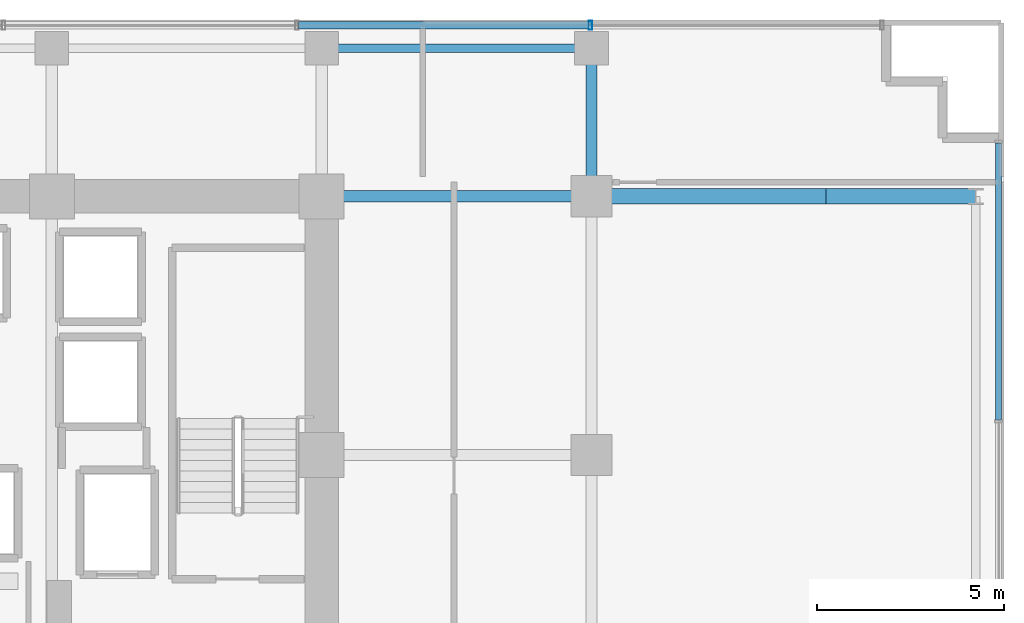
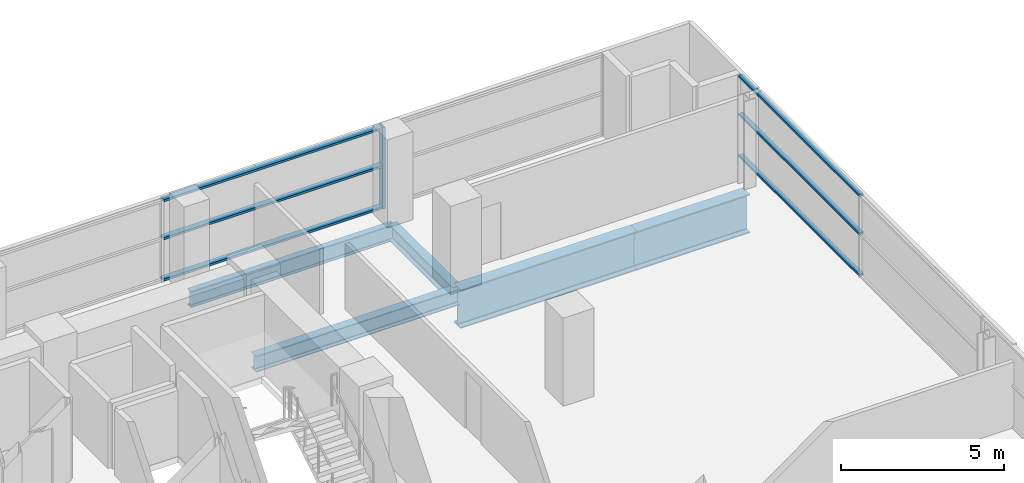
# One storey, part 21 of 31: 7 members, 5 beams, 2 elements without a shape of their own.
"""IFC4 building model written with IfcOpenShell, lengths in metres."""

from ifc_helpers import new_model, si_unit, direction, frame, origin, origin_2d, place, context, subcontext, project, spatial, hollow_rectangle, i_section, extrude, source, transform, mapped, material, layer, layer_set, material_profile, profile_set, type_object, element, aggregate, save


model = new_model("IFC4")

# Units and contexts
model_context = context("Model", 3, precision=1e-05, world=origin(), true_north=direction((0.0, 1.0)))
body_context = subcontext(model_context, "Body", "Model", "MODEL_VIEW")
ifc_project = project(units=[si_unit("LENGTHUNIT", "METRE"), si_unit("AREAUNIT", "SQUARE_METRE"), si_unit("VOLUMEUNIT", "CUBIC_METRE"), si_unit("PLANEANGLEUNIT", "RADIAN"), si_unit("MASSUNIT", "GRAM", prefix="KILO")], contexts=[model_context])

# Site, building, storey
site_placement = place(None, origin())
site = spatial("IfcSite", under=ifc_project, at=site_placement, CompositionType="ELEMENT")
building_placement = place(site_placement, origin())
building = spatial("IfcBuilding", under=site, at=building_placement, Name="Zarnakvel Exchange Tower", CompositionType="ELEMENT")
storey_placement = place(building_placement, frame((0.0, 0.0, 53.800048828125)))
storey = spatial("IfcBuildingStorey", under=building, at=storey_placement, Name="L14", CompositionType="ELEMENT", Elevation=53.800048828125)

# Beams
ifc_material_1 = material(Name="Steel S355", Category="steel")
ifc_material_profile_1 = material_profile(ifc_material_1, i_section(OverallWidth=0.300048828125, OverallDepth=0.60009765625, WebThickness=0.015380859375, FlangeThickness=0.030029296875, FilletRadius=0.027099609375, at=origin_2d()))
ifc_profile_set_1 = profile_set([ifc_material_profile_1], Name="Steel S355")
beam_type_1 = type_object("IfcBeamType", Name="G-04", PredefinedType="BEAM", material=ifc_profile_set_1)
beam_1_placement = place(storey_placement, frame((14.39990234375, 13.5, -0.525146484375), z_axis=(1.0, 0.0, 0.0), x_axis=(0.0, 1.0, 0.0)))
element("IfcBeam", 1, at=beam_1_placement, inside=storey, type_object=beam_type_1, Name="L14 Tower E-W Frame Beam", PredefinedType="BEAM", context=body_context, shape_type="SweptSolid", body=[
    extrude(i_section(OverallWidth=0.300048828125, OverallDepth=0.60009765625, WebThickness=0.015380859375, FlangeThickness=0.030029296875, FilletRadius=0.027099609375, at=origin_2d()), origin(), (0.0, 0.0, 1.0), 7.2001953125),
])
beam_2_placement = place(storey_placement, frame((21.60009765625, 13.5, -0.525146484375), z_axis=(0.0, 1.0, 0.0), x_axis=(-1.0, 0.0, 0.0)))
element("IfcBeam", 2, at=beam_2_placement, inside=storey, type_object=beam_type_1, Name="L14 Tower N-S Frame Beam", PredefinedType="BEAM", context=body_context, shape_type="SweptSolid", body=[
    extrude(i_section(OverallWidth=0.300048828125, OverallDepth=0.60009765625, WebThickness=0.015380859375, FlangeThickness=0.030029296875, FilletRadius=0.027099609375, at=origin_2d()), origin(), (0.0, 0.0, 1.0), 3.949951171875),
])
ifc_material_profile_2 = material_profile(ifc_material_1, i_section(OverallWidth=0.219970703125, OverallDepth=0.60009765625, WebThickness=0.011962890625, FlangeThickness=0.01904296875, FilletRadius=0.02392578125, at=origin_2d()))
ifc_profile_set_2 = profile_set([ifc_material_profile_2], Name="Steel S355")
beam_type_2 = type_object("IfcBeamType", Name="SP-01", PredefinedType="SPANDREL", material=ifc_profile_set_2)
beam_3_placement = place(storey_placement, frame((14.39990234375, 17.449951171875, -0.525146484375), z_axis=(1.0, 0.0, 0.0), x_axis=(0.0, 1.0, 0.0)))
element("IfcBeam", 3, at=beam_3_placement, inside=storey, type_object=beam_type_2, Name="L14 Tower E-W Frame Beam", PredefinedType="SPANDREL", context=body_context, shape_type="SweptSolid", body=[
    extrude(i_section(OverallWidth=0.219970703125, OverallDepth=0.60009765625, WebThickness=0.011962890625, FlangeThickness=0.01904296875, FilletRadius=0.02392578125, at=origin_2d()), origin(), (0.0, 0.0, 1.0), 7.2001953125),
])
ifc_material_2 = material(Name="Steel S460", Category="steel")
ifc_material_profile_3 = material_profile(ifc_material_2, i_section(OverallWidth=0.419921875, OverallDepth=1.449951171875, WebThickness=0.02392578125, FlangeThickness=0.0400390625, FilletRadius=0.030029296875, at=origin_2d()))
ifc_profile_set_3 = profile_set([ifc_material_profile_3], Name="Steel S460")
beam_type_3 = type_object("IfcBeamType", Name="TG-01", PredefinedType="BEAM", material=ifc_profile_set_3)
beam_4_placement = place(storey_placement, frame((21.60009765625, 13.5, -0.949951171875), z_axis=(1.0, 0.0, 0.0), x_axis=(0.0, 1.0, 0.0)))
element("IfcBeam", 4, at=beam_4_placement, inside=storey, type_object=beam_type_3, Name="L14 Block-Shift Backspan Transfer TE-F", PredefinedType="BEAM", context=body_context, shape_type="SweptSolid", body=[
    extrude(i_section(OverallWidth=0.419921875, OverallDepth=1.449951171875, WebThickness=0.02392578125, FlangeThickness=0.0400390625, FilletRadius=0.030029296875, at=origin_2d()), origin(), (0.0, 0.0, 1.0), 6.25),
])
beam_5_placement = place(storey_placement, frame((27.85009765625, 13.5, -0.949951171875), z_axis=(1.0, 0.0, 0.0), x_axis=(0.0, 1.0, 0.0)))
element("IfcBeam", 5, at=beam_5_placement, inside=storey, type_object=beam_type_3, Name="L14 Block-Shift Cantilever Transfer TE-F", PredefinedType="BEAM", context=body_context, shape_type="SweptSolid", body=[
    extrude(i_section(OverallWidth=0.419921875, OverallDepth=1.449951171875, WebThickness=0.02392578125, FlangeThickness=0.0400390625, FilletRadius=0.030029296875, at=origin_2d()), origin(), (0.0, 0.0, 1.0), 4.0),
])

# Curtain wall, members
ifc_material_3 = material(Name="Architectural Bronze Anodised Aluminium", Category="aluminium")
ifc_layer_1 = layer(ifc_material_3, 0.239990234375)
ifc_layer_set_1 = layer_set([ifc_layer_1], Name="Architectural Bronze Anodised Aluminium")
curtain_wall_type_1 = type_object("IfcCurtainWallType", Name="CW-02", PredefinedType="NOTDEFINED", material=ifc_layer_set_1)
curtain_wall_1_placement = place(storey_placement, origin())
curtain_wall_1 = element("IfcCurtainWall", 6, at=curtain_wall_1_placement, inside=storey, type_object=curtain_wall_type_1, Name="L14 Curtain Wall CW-L14-N1 (CW-02)", PredefinedType="NOTDEFINED")
ifc_material_profile_4 = material_profile(ifc_material_3, hollow_rectangle(XDim=0.199951171875, YDim=0.0849609375, WallThickness=0.0048828125, at=origin_2d()))
ifc_profile_set_4 = profile_set([ifc_material_profile_4], Name="Architectural Bronze Anodised Aluminium")
member_type_1 = type_object("IfcMemberType", Name="CWT-02", PredefinedType="USERDEFINED", material=ifc_profile_set_4)
shared_shape_1 = source(origin(), body_context, "Body", "SweptSolid", [
    extrude(hollow_rectangle(XDim=0.199951171875, YDim=0.0849609375, WallThickness=0.0048828125, at=origin_2d()), origin(), (0.0, 0.0, 1.0), 7.738525390625),
])
member_1_placement = place(storey_placement, frame((13.787841796875, 18.06005859375, 0.04248046875), z_axis=(1.0, 0.0, 0.0), x_axis=(0.0, 1.0, 0.0)))
member_1 = element("IfcMember", 7, at=member_1_placement, type_object=member_type_1, Name="CW-02 transom 6.1", ObjectType="TRANSOM", PredefinedType="USERDEFINED", context=body_context, shape_type="MappedRepresentation", body=[
    mapped(shared_shape_1, transform((0.0, 0.0, 0.0), x_axis=(1.0, 0.0, 0.0), y_axis=(0.0, 1.0, 0.0), z_axis=(0.0, 0.0, 1.0), scale=1.0)),
])
member_2_placement = place(storey_placement, frame((13.787841796875, 18.06005859375, 1.588623046875), z_axis=(1.0, 0.0, 0.0), x_axis=(0.0, 1.0, 0.0)))
member_2 = element("IfcMember", 8, at=member_2_placement, type_object=member_type_1, Name="CW-02 transom 6.2", ObjectType="TRANSOM", PredefinedType="USERDEFINED", context=body_context, shape_type="MappedRepresentation", body=[
    mapped(shared_shape_1, transform((0.0, 0.0, 0.0), x_axis=(1.0, 0.0, 0.0), y_axis=(0.0, 1.0, 0.0), z_axis=(0.0, 0.0, 1.0), scale=1.0)),
])
member_3_placement = place(storey_placement, frame((13.787841796875, 18.06005859375, 3.012451171875), z_axis=(1.0, 0.0, 0.0), x_axis=(0.0, 1.0, 0.0)))
member_3 = element("IfcMember", 9, at=member_3_placement, type_object=member_type_1, Name="CW-02 transom 6.3", ObjectType="TRANSOM", PredefinedType="USERDEFINED", context=body_context, shape_type="MappedRepresentation", body=[
    mapped(shared_shape_1, transform((0.0, 0.0, 0.0), x_axis=(1.0, 0.0, 0.0), y_axis=(0.0, 1.0, 0.0), z_axis=(0.0, 0.0, 1.0), scale=1.0)),
])

ifc_layer_2 = layer(ifc_material_3, 0.199951171875)
ifc_layer_set_2 = layer_set([ifc_layer_2], Name="Architectural Bronze Anodised Aluminium")
curtain_wall_type_2 = type_object("IfcCurtainWallType", Name="CW-04", PredefinedType="NOTDEFINED", material=ifc_layer_set_2)
curtain_wall_2_placement = place(storey_placement, origin())
curtain_wall_2 = element("IfcCurtainWall", 10, at=curtain_wall_2_placement, inside=storey, type_object=curtain_wall_type_2, Name="L14 Curtain Wall CW-L14-E1 (CW-04)", PredefinedType="NOTDEFINED")
ifc_material_profile_5 = material_profile(ifc_material_3, hollow_rectangle(XDim=0.159912109375, YDim=0.074951171875, WallThickness=0.00390625, at=origin_2d()))
ifc_profile_set_5 = profile_set([ifc_material_profile_5], Name="Architectural Bronze Anodised Aluminium")
member_type_2 = type_object("IfcMemberType", Name="CWT-04", PredefinedType="USERDEFINED", material=ifc_profile_set_5)
shared_shape_2 = source(origin(), body_context, "Body", "SweptSolid", [
    extrude(hollow_rectangle(XDim=0.159912109375, YDim=0.074951171875, WallThickness=0.00390625, at=origin_2d()), origin(), (0.0, 0.0, 1.0), 7.387451171875),
])
member_4_placement = place(storey_placement, frame((32.4599609375, 7.53759765625, 0.037353515625), z_axis=(0.0, 1.0, 0.0), x_axis=(-1.0, 0.0, 0.0)))
member_4 = element("IfcMember", 11, at=member_4_placement, type_object=member_type_2, Name="CW-04 transom 4.1", ObjectType="TRANSOM", PredefinedType="USERDEFINED", context=body_context, shape_type="MappedRepresentation", body=[
    mapped(shared_shape_2, transform((0.0, 0.0, 0.0), x_axis=(1.0, 0.0, 0.0), y_axis=(0.0, 1.0, 0.0), z_axis=(0.0, 0.0, 1.0), scale=1.0)),
])
member_5_placement = place(storey_placement, frame((32.4599609375, 7.53759765625, 1.588623046875), z_axis=(0.0, 1.0, 0.0), x_axis=(-1.0, 0.0, 0.0)))
member_5 = element("IfcMember", 12, at=member_5_placement, type_object=member_type_2, Name="CW-04 transom 4.2", ObjectType="TRANSOM", PredefinedType="USERDEFINED", context=body_context, shape_type="MappedRepresentation", body=[
    mapped(shared_shape_2, transform((0.0, 0.0, 0.0), x_axis=(1.0, 0.0, 0.0), y_axis=(0.0, 1.0, 0.0), z_axis=(0.0, 0.0, 1.0), scale=1.0)),
])
member_6_placement = place(storey_placement, frame((32.4599609375, 7.53759765625, 3.017333984375), z_axis=(0.0, 1.0, 0.0), x_axis=(-1.0, 0.0, 0.0)))
member_6 = element("IfcMember", 13, at=member_6_placement, type_object=member_type_2, Name="CW-04 transom 4.3", ObjectType="TRANSOM", PredefinedType="USERDEFINED", context=body_context, shape_type="MappedRepresentation", body=[
    mapped(shared_shape_2, transform((0.0, 0.0, 0.0), x_axis=(1.0, 0.0, 0.0), y_axis=(0.0, 1.0, 0.0), z_axis=(0.0, 0.0, 1.0), scale=1.0)),
])
aggregate(curtain_wall_2, [member_4, member_5, member_6])

# Member
ifc_material_profile_6 = material_profile(ifc_material_3, hollow_rectangle(XDim=0.239990234375, YDim=0.090087890625, WallThickness=0.006103515625, at=origin_2d()))
ifc_profile_set_6 = profile_set([ifc_material_profile_6], Name="Architectural Bronze Anodised Aluminium")
member_type_3 = type_object("IfcMemberType", Name="CWM-02", PredefinedType="MULLION", material=ifc_profile_set_6)
shared_shape_3 = source(origin(), body_context, "Body", "SweptSolid", [
    extrude(hollow_rectangle(XDim=0.239990234375, YDim=0.090087890625, WallThickness=0.006103515625, at=origin_2d()), origin(), (0.0, 0.0, 1.0), 3.054931640625),
])
member_7_placement = place(storey_placement, frame((21.571533203125, 18.06005859375, 0.0), z_axis=(0.0, 0.0, 1.0), x_axis=(0.0, 1.0, 0.0)))
member_7 = element("IfcMember", 14, at=member_7_placement, type_object=member_type_3, Name="CW-02 mullion 7", PredefinedType="MULLION", context=body_context, shape_type="MappedRepresentation", body=[
    mapped(shared_shape_3, transform((0.0, 0.0, 0.0), x_axis=(1.0, 0.0, 0.0), y_axis=(0.0, 1.0, 0.0), z_axis=(0.0, 0.0, 1.0), scale=1.0)),
])

aggregate(curtain_wall_1, [member_7, member_1, member_2, member_3])

save(model, "model.ifc")
